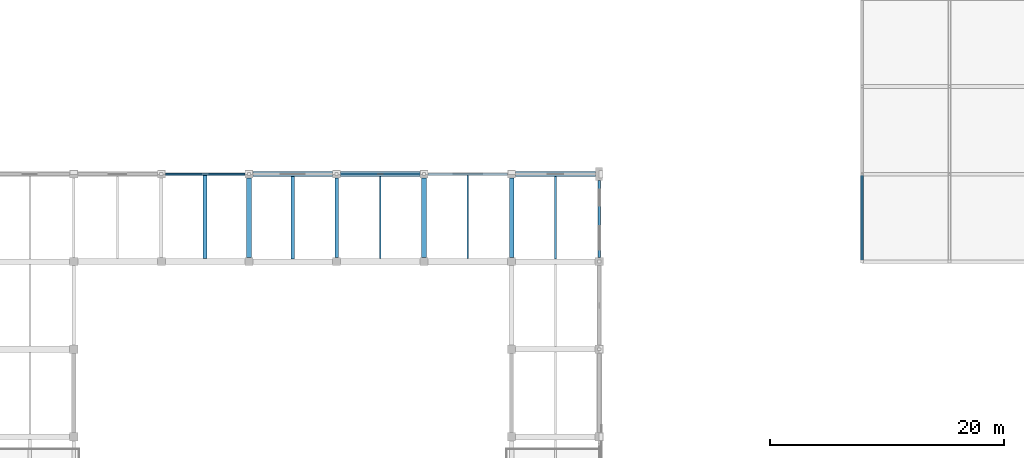
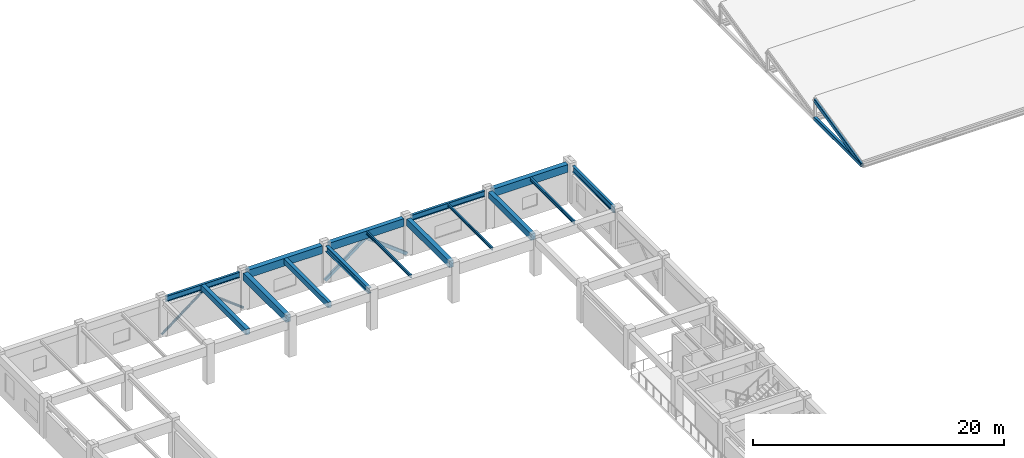
# One storey, part 37 of 82: 15 beams, 6 members.
"""IFC4 building model written with IfcOpenShell, lengths in metres."""

import ifcopenshell
import ifcopenshell.guid

model = None  # the IFC model being written
_history = None  # IfcOwnerHistory: only IFC2X3 demands one
_inside = {}  # id of a spatial element -> (the spatial element, [elements in it])
_under = {}  # id of a project, library or spatial element -> (it, [spatial elements below it])
_declared = {}  # id of a project -> (the project, [libraries it declares])
_typed = {}  # id of a type object -> (the type object, [elements of that type])
_made_of = {}  # id of a material, layer set ... -> (it, [elements and type objects made of it])


def new_model(schema):
    """Start an empty IFC model of exactly this schema.

    Asked for "IFC4X3", IfcOpenShell would pick the latest addendum, in which some entities
    have other attributes; the version numbers below select the first issue.
    IFC2X3 requires an IfcOwnerHistory on every rooted entity: one is made here for all.
    """
    global model, _history
    if schema == "IFC4X3":
        model = ifcopenshell.file(schema_version=(4, 3, 0, 0))
    else:
        model = ifcopenshell.file(schema=schema)
    _inside.clear()
    _under.clear()
    _declared.clear()
    _typed.clear()
    _made_of.clear()
    _history = None
    if model.schema == "IFC2X3":
        org = make("IfcOrganization", Name="unknown")
        user = make(
            "IfcPersonAndOrganization",
            ThePerson=make("IfcPerson", FamilyName="unknown"),
            TheOrganization=org,
        )
        app = make(
            "IfcApplication",
            ApplicationDeveloper=org,
            Version="unknown",
            ApplicationFullName="unknown",
            ApplicationIdentifier="unknown",
        )
        _history = make(
            "IfcOwnerHistory",
            OwningUser=user,
            OwningApplication=app,
            ChangeAction="ADDED",
            CreationDate=0,
        )
    return model


def make(cls, **values):
    """One entity of the class cls with the attributes given. An attribute that is None is left unset."""
    return model.create_entity(
        cls, **{name: value for name, value in values.items() if value is not None}
    )


def rooted(cls, **values):
    """An entity with a GlobalId (a new one), such as an element, a storey or a relation."""
    return make(cls, GlobalId=ifcopenshell.guid.new(), OwnerHistory=_history, **values)


def si_unit(unit_type, name, prefix=None):
    """IfcSIUnit, for example si_unit("LENGTHUNIT", "METRE", prefix="MILLI")."""
    return make("IfcSIUnit", UnitType=unit_type, Prefix=prefix, Name=name)


def assignment(units):
    """IfcUnitAssignment: the units of a project."""
    return None if units is None else make("IfcUnitAssignment", Units=units)


def point(xyz):
    """IfcCartesianPoint."""
    return None if xyz is None else make("IfcCartesianPoint", Coordinates=xyz)


def direction(xyz):
    """IfcDirection."""
    return None if xyz is None else make("IfcDirection", DirectionRatios=xyz)


def frame(location, z_axis=None, x_axis=None):
    """IfcAxis2Placement3D, a coordinate frame: its origin and axes. An axis left out is left unset."""
    return make(
        "IfcAxis2Placement3D",
        Location=point(location),
        Axis=direction(z_axis),
        RefDirection=direction(x_axis),
    )


def frame_2d(location, x_axis=None):
    """IfcAxis2Placement2D, a coordinate frame in the plane: its origin and x axis."""
    return make(
        "IfcAxis2Placement2D", Location=point(location), RefDirection=direction(x_axis)
    )


def origin():
    """The frame at (0, 0, 0) with its axes left unset."""
    return frame((0.0, 0.0, 0.0))


def origin_2d():
    """The frame at (0, 0) in the plane with its x axis left unset."""
    return frame_2d((0.0, 0.0))


def place(relative_to, where):
    """IfcLocalPlacement: puts the frame where relative to a parent placement (None: the world)."""
    return make(
        "IfcLocalPlacement", PlacementRelTo=relative_to, RelativePlacement=where
    )


def context(
    kind, dimensions, precision=None, world=None, true_north=None, identifier=None
):
    """IfcGeometricRepresentationContext, for example the 3D "Model" context."""
    return make(
        "IfcGeometricRepresentationContext",
        ContextIdentifier=identifier,
        ContextType=kind,
        CoordinateSpaceDimension=dimensions,
        Precision=precision,
        WorldCoordinateSystem=world,
        TrueNorth=true_north,
    )


def subcontext(parent, identifier, kind, view, scale=None):
    """IfcGeometricRepresentationSubContext, for example "Body" below "Model"."""
    return make(
        "IfcGeometricRepresentationSubContext",
        ContextIdentifier=identifier,
        ContextType=kind,
        ParentContext=parent,
        TargetScale=scale,
        TargetView=view,
    )


def project(units=None, contexts=None):
    """IfcProject with its units and contexts."""
    return rooted(
        "IfcProject",
        Name="project",
        RepresentationContexts=contexts,
        UnitsInContext=assignment(units),
    )


def spatial(cls, under=None, at=None, **own):
    """A site, building, storey or space (cls), placed at a placement, below another one or the project."""
    s = rooted(cls, ObjectPlacement=at, **own)
    if under is not None:
        _under.setdefault(under.id(), (under, []))[1].append(s)
    return s


def profile(cls, at=None, kind="AREA", **sizes):
    """A parametric profile (cls). Its sizes go by their IFC names, for example OverallWidth=200.0."""
    return make(cls, ProfileType=kind, Position=at, **sizes)


def rectangle(**sizes):
    """IfcRectangleProfileDef."""
    return profile("IfcRectangleProfileDef", **sizes)


def hollow_rectangle(**sizes):
    """IfcRectangleHollowProfileDef."""
    return profile("IfcRectangleHollowProfileDef", **sizes)


def hollow_circle(**sizes):
    """IfcCircleHollowProfileDef."""
    return profile("IfcCircleHollowProfileDef", **sizes)


def i_section(**sizes):
    """IfcIShapeProfileDef."""
    return profile("IfcIShapeProfileDef", **sizes)


def extrude(swept, where, along, depth):
    """IfcExtrudedAreaSolid: the profile swept, set in the frame where, extruded along a direction by depth."""
    return make(
        "IfcExtrudedAreaSolid",
        SweptArea=swept,
        Position=where,
        ExtrudedDirection=direction(along),
        Depth=depth,
    )


def shape(context_of_items, identifier, shape_type, items):
    """IfcShapeRepresentation: the items that make up one representation, for example the "Body"."""
    return make(
        "IfcShapeRepresentation",
        ContextOfItems=context_of_items,
        RepresentationIdentifier=identifier,
        RepresentationType=shape_type,
        Items=items,
    )


def material(Name=None, Category=None):
    """IfcMaterial."""
    return make("IfcMaterial", Name=Name, Category=Category)


def material_profile(
    of_material, cross_section, Name=None, Category=None, Priority=None
):
    """IfcMaterialProfile: a cross section and its material."""
    return make(
        "IfcMaterialProfile",
        Name=Name,
        Material=of_material,
        Profile=cross_section,
        Priority=Priority,
        Category=Category,
    )


def profile_set(profiles, Name=None, composite=None):
    """IfcMaterialProfileSet."""
    return make(
        "IfcMaterialProfileSet",
        Name=Name,
        MaterialProfiles=profiles,
        CompositeProfile=composite,
    )


def made_of(thing, what):
    """Note that an element or type object is made of a material, layer set ...; save() writes the relation."""
    if what is not None:
        _made_of.setdefault(what.id(), (what, []))[1].append(thing)
    return thing


def type_object(cls, material=None, **own):
    """A type object (cls), such as IfcWallType, which elements share."""
    return made_of(rooted(cls, **own), material)


def element(
    cls,
    number,
    at=None,
    inside=None,
    cuts=None,
    type_object=None,
    material=None,
    context=None,
    identifier="Body",
    shape_type=None,
    held_by="IfcProductDefinitionShape",
    body=None,
    shapes=None,
    **own,
):
    """One element of the class cls, such as IfcWall. Its Tag is "e" and its number.

    at: its placement. inside: the storey or other place that contains it. cuts: it is an
    opening in that element (IfcRelVoidsElement). A single representation is given by context,
    identifier, shape_type and body (its items); several are given by shapes. held_by: the class
    of the entity that holds the representations. save() writes the other relations.
    """
    e = rooted(cls, Tag="e%d" % number, ObjectPlacement=at, **own)
    if body is not None:
        shapes = [shape(context, identifier, shape_type, body)]
    if shapes is not None:
        e.Representation = make(held_by, Representations=shapes)
    if inside is not None:
        _inside.setdefault(inside.id(), (inside, []))[1].append(e)
    if cuts is not None:
        rooted(
            "IfcRelVoidsElement", RelatingBuildingElement=cuts, RelatedOpeningElement=e
        )
    if type_object is not None:
        _typed.setdefault(type_object.id(), (type_object, []))[1].append(e)
    return made_of(e, material)


def aggregate(whole, parts):
    """IfcRelAggregates: a whole, such as a stair, and the parts it consists of."""
    return rooted("IfcRelAggregates", RelatingObject=whole, RelatedObjects=parts)


def save(model, path):
    """Write the relations noted so far, then the file.

    IfcRelAggregates (storeys below a building ...), IfcRelContainedInSpatialStructure (elements
    in a storey), IfcRelDefinesByType, IfcRelAssociatesMaterial and IfcRelDeclares: one each for
    every whole, place, type object, material and project.
    """
    for whole, parts in _under.values():
        aggregate(whole, parts)
    for where, things in _inside.values():
        rooted(
            "IfcRelContainedInSpatialStructure",
            RelatedElements=things,
            RelatingStructure=where,
        )
    for kind, things in _typed.values():
        rooted("IfcRelDefinesByType", RelatedObjects=things, RelatingType=kind)
    for what, things in _made_of.values():
        rooted("IfcRelAssociatesMaterial", RelatedObjects=things, RelatingMaterial=what)
    for by, libraries in _declared.values():
        rooted("IfcRelDeclares", RelatingContext=by, RelatedDefinitions=libraries)
    model.write(path)


model = new_model("IFC4")

# Units and contexts
model_context = context("Model", 3, precision=1e-05, world=origin(), true_north=direction((0.0, 1.0)))
body_context = subcontext(model_context, "Body", "Model", "MODEL_VIEW")
ifc_project = project(units=[si_unit("LENGTHUNIT", "METRE"), si_unit("AREAUNIT", "SQUARE_METRE"), si_unit("VOLUMEUNIT", "CUBIC_METRE"), si_unit("PLANEANGLEUNIT", "RADIAN"), si_unit("MASSUNIT", "GRAM", prefix="KILO")], contexts=[model_context])

# Site, building, storey
site_placement = place(None, origin())
site = spatial("IfcSite", under=ifc_project, at=site_placement, CompositionType="ELEMENT")
building_placement = place(site_placement, origin())
building = spatial("IfcBuilding", under=site, at=building_placement, Name="Qasida Concert Hall", CompositionType="ELEMENT")
storey_placement = place(building_placement, frame((0.0, 0.0, 17.10009765625)))
storey = spatial("IfcBuildingStorey", under=building, at=storey_placement, Name="L04", CompositionType="ELEMENT", Elevation=17.10009765625)

# Beams
ifc_material_1 = material(Name="Concrete C40/50", Category="concrete")
ifc_material_profile_1 = material_profile(ifc_material_1, rectangle(XDim=0.39990234375, YDim=0.64990234375, at=origin_2d()), Name="RC 400x650")
ifc_profile_set_1 = profile_set([ifc_material_profile_1], Name="Concrete C40/50")
beam_type_1 = type_object("IfcBeamType", Name="BM-B1", PredefinedType="BEAM", material=ifc_profile_set_1)
beam_1_placement = place(storey_placement, frame((90.0, 75.35009765625, 3.294921875), z_axis=(0.0, 1.0, 0.0), x_axis=(-1.0, 0.0, 0.0)))
element("IfcBeam", 1, at=beam_1_placement, inside=storey, type_object=beam_type_1, Name="L04 girder 1856", PredefinedType="BEAM", context=body_context, shape_type="SweptSolid", body=[
    extrude(rectangle(XDim=0.39990234375, YDim=0.64990234375, at=origin_2d()), origin(), (0.0, 0.0, 1.0), 6.7998046875),
])
ifc_material_profile_2 = material_profile(ifc_material_1, rectangle(XDim=0.3798828125, YDim=0.6201171875, at=origin_2d()), Name="RC 380x620")
ifc_profile_set_2 = profile_set([ifc_material_profile_2], Name="Concrete C40/50")
beam_type_2 = type_object("IfcBeamType", Name="BM-B10", PredefinedType="BEAM", material=ifc_profile_set_2)
beam_2_placement = place(storey_placement, frame((97.5, 75.35009765625, 3.309814453125), z_axis=(0.0, 1.0, 0.0), x_axis=(-1.0, 0.0, 0.0)))
element("IfcBeam", 2, at=beam_2_placement, inside=storey, type_object=beam_type_2, Name="L04 girder 1862", PredefinedType="BEAM", context=body_context, shape_type="SweptSolid", body=[
    extrude(rectangle(XDim=0.3798828125, YDim=0.6201171875, at=origin_2d()), origin(), (0.0, 0.0, 1.0), 6.7998046875),
])
ifc_material_profile_3 = material_profile(ifc_material_1, rectangle(XDim=0.419921875, YDim=0.699951171875, at=origin_2d()), Name="RC 420x700")
ifc_profile_set_3 = profile_set([ifc_material_profile_3], Name="Concrete C40/50")
beam_type_3 = type_object("IfcBeamType", Name="BM-B11", PredefinedType="BEAM", material=ifc_profile_set_3)
beam_3_placement = place(storey_placement, frame((75.0, 75.35009765625, 3.27001953125), z_axis=(0.0, 1.0, 0.0), x_axis=(-1.0, 0.0, 0.0)))
element("IfcBeam", 3, at=beam_3_placement, inside=storey, type_object=beam_type_3, Name="L04 girder 1853", PredefinedType="BEAM", context=body_context, shape_type="SweptSolid", body=[
    extrude(rectangle(XDim=0.419921875, YDim=0.699951171875, at=origin_2d()), origin(), (0.0, 0.0, 1.0), 6.7998046875),
])
ifc_material_2 = material(Name="Steel S355J2", Category="steel")
ifc_material_profile_4 = material_profile(ifc_material_2, i_section(OverallWidth=0.300048828125, OverallDepth=0.550048828125, WebThickness=0.014892578125, FlangeThickness=0.029052734375, FilletRadius=0.027099609375, at=origin_2d()), Name="HEB 550")
ifc_profile_set_4 = profile_set([ifc_material_profile_4], Name="Steel S355J2")
beam_type_4 = type_object("IfcBeamType", Name="BM-B12", PredefinedType="BEAM", material=ifc_profile_set_4)
beam_4_placement = place(storey_placement, frame((82.5, 75.35009765625, 3.344970703125), z_axis=(0.0, 1.0, 0.0), x_axis=(-1.0, 0.0, 0.0)))
element("IfcBeam", 4, at=beam_4_placement, inside=storey, type_object=beam_type_4, Name="L04 girder 1854", PredefinedType="BEAM", context=body_context, shape_type="SweptSolid", body=[
    extrude(i_section(OverallWidth=0.300048828125, OverallDepth=0.550048828125, WebThickness=0.014892578125, FlangeThickness=0.029052734375, FilletRadius=0.027099609375, at=origin_2d()), origin(), (0.0, 0.0, 1.0), 6.7998046875),
])
ifc_material_profile_5 = material_profile(ifc_material_1, rectangle(XDim=0.300048828125, YDim=0.550048828125, at=origin_2d()), Name="RC 300x550")
ifc_profile_set_5 = profile_set([ifc_material_profile_5], Name="Concrete C40/50")
beam_type_5 = type_object("IfcBeamType", Name="BM-J1", PredefinedType="JOIST", material=ifc_profile_set_5)
beam_5_placement = place(storey_placement, frame((78.75, 75.239990234375, 3.344970703125), z_axis=(0.0, 1.0, 0.0), x_axis=(-1.0, 0.0, 0.0)))
element("IfcBeam", 5, at=beam_5_placement, inside=storey, type_object=beam_type_5, Name="L04 secondary joist 1880", PredefinedType="JOIST", context=body_context, shape_type="SweptSolid", body=[
    extrude(rectangle(XDim=0.300048828125, YDim=0.550048828125, at=origin_2d()), origin(), (0.0, 0.0, 1.0), 7.034912109375),
])
ifc_material_profile_6 = material_profile(ifc_material_2, i_section(OverallWidth=0.14990234375, OverallDepth=0.300048828125, WebThickness=0.007080078125, FlangeThickness=0.0107421875, FilletRadius=0.014892578125, at=origin_2d()), Name="IPE 300")
ifc_profile_set_6 = profile_set([ifc_material_profile_6], Name="Steel S355J2")
beam_type_6 = type_object("IfcBeamType", Name="BM-J4", PredefinedType="JOIST", material=ifc_profile_set_6)
beam_6_placement = place(storey_placement, frame((86.25, 75.25, 3.469970703125), z_axis=(0.0, 1.0, 0.0), x_axis=(-1.0, 0.0, 0.0)))
element("IfcBeam", 6, at=beam_6_placement, inside=storey, type_object=beam_type_6, Name="L04 secondary joist 1883", PredefinedType="JOIST", context=body_context, shape_type="SweptSolid", body=[
    extrude(i_section(OverallWidth=0.14990234375, OverallDepth=0.300048828125, WebThickness=0.007080078125, FlangeThickness=0.0107421875, FilletRadius=0.014892578125, at=origin_2d()), origin(), (0.0, 0.0, 1.0), 7.050048828125),
])
ifc_material_profile_7 = material_profile(ifc_material_2, i_section(OverallWidth=0.159912109375, OverallDepth=0.330078125, WebThickness=0.007568359375, FlangeThickness=0.011474609375, FilletRadius=0.01806640625, at=origin_2d()), Name="IPE 330")
ifc_profile_set_7 = profile_set([ifc_material_profile_7], Name="Steel S355J2")
beam_type_7 = type_object("IfcBeamType", Name="BM-J5", PredefinedType="JOIST", material=ifc_profile_set_7)
beam_7_placement = place(storey_placement, frame((101.25, 75.239990234375, 3.454833984375), z_axis=(0.0, 1.0, 0.0), x_axis=(-1.0, 0.0, 0.0)))
element("IfcBeam", 7, at=beam_7_placement, inside=storey, type_object=beam_type_7, Name="L04 secondary joist 1892", PredefinedType="JOIST", context=body_context, shape_type="SweptSolid", body=[
    extrude(i_section(OverallWidth=0.159912109375, OverallDepth=0.330078125, WebThickness=0.007568359375, FlangeThickness=0.011474609375, FilletRadius=0.01806640625, at=origin_2d()), origin(), (0.0, 0.0, 1.0), 7.034912109375),
])
ifc_material_profile_8 = material_profile(ifc_material_2, i_section(OverallWidth=0.135009765625, OverallDepth=0.27001953125, WebThickness=0.006591796875, FlangeThickness=0.01025390625, FilletRadius=0.014892578125, at=origin_2d()), Name="IPE 270")
ifc_profile_set_8 = profile_set([ifc_material_profile_8], Name="Steel S355J2")
beam_type_8 = type_object("IfcBeamType", Name="BM-J6", PredefinedType="JOIST", material=ifc_profile_set_8)
beam_8_placement = place(storey_placement, frame((93.75, 75.2900390625, 3.48486328125), z_axis=(0.0, 1.0, 0.0), x_axis=(-1.0, 0.0, 0.0)))
element("IfcBeam", 8, at=beam_8_placement, inside=storey, type_object=beam_type_8, Name="L04 secondary joist 1885", PredefinedType="JOIST", context=body_context, shape_type="SweptSolid", body=[
    extrude(i_section(OverallWidth=0.135009765625, OverallDepth=0.27001953125, WebThickness=0.006591796875, FlangeThickness=0.01025390625, FilletRadius=0.014892578125, at=origin_2d()), origin(), (0.0, 0.0, 1.0), 7.10498046875),
])
ifc_material_profile_9 = material_profile(ifc_material_1, rectangle(XDim=0.35009765625, YDim=0.550048828125, at=origin_2d()), Name="RC 350x550")
ifc_profile_set_9 = profile_set([ifc_material_profile_9], Name="Concrete C40/50")
beam_type_9 = type_object("IfcBeamType", Name="BM-J8", PredefinedType="JOIST", material=ifc_profile_set_9)
beam_9_placement = place(storey_placement, frame((71.25, 75.260009765625, 3.344970703125), z_axis=(0.0, 1.0, 0.0), x_axis=(-1.0, 0.0, 0.0)))
element("IfcBeam", 9, at=beam_9_placement, inside=storey, type_object=beam_type_9, Name="L04 secondary joist 1879", PredefinedType="JOIST", context=body_context, shape_type="SweptSolid", body=[
    extrude(rectangle(XDim=0.35009765625, YDim=0.550048828125, at=origin_2d()), origin(), (0.0, 0.0, 1.0), 7.135009765625),
])
ifc_material_profile_10 = material_profile(ifc_material_1, rectangle(XDim=0.39990234375, YDim=0.75, at=origin_2d()), Name="RC 400x750")
ifc_profile_set_10 = profile_set([ifc_material_profile_10], Name="Concrete C40/50")
beam_type_10 = type_object("IfcBeamType", Name="BM-SP1", PredefinedType="SPANDREL", material=ifc_profile_set_10)
beam_10_placement = place(storey_placement, frame((82.85009765625, 82.5, 3.244873046875), z_axis=(1.0, 0.0, 0.0), x_axis=(0.0, 1.0, 0.0)))
element("IfcBeam", 10, at=beam_10_placement, inside=storey, type_object=beam_type_10, Name="Primary girder 1836", PredefinedType="SPANDREL", context=body_context, shape_type="SweptSolid", body=[
    extrude(rectangle(XDim=0.39990234375, YDim=0.75, at=origin_2d()), origin(), (0.0, 0.0, 1.0), 6.7998046875),
])
ifc_material_profile_11 = material_profile(ifc_material_2, i_section(OverallWidth=0.2099609375, OverallDepth=0.550048828125, WebThickness=0.010986328125, FlangeThickness=0.01708984375, FilletRadius=0.02392578125, at=origin_2d()), Name="IPE 550")
ifc_profile_set_11 = profile_set([ifc_material_profile_11], Name="Steel S355J2")
beam_type_11 = type_object("IfcBeamType", Name="BM-SP2", PredefinedType="SPANDREL", material=ifc_profile_set_11)
for number, where, z_axis, x_axis, name in (
    (11, (67.85009765625, 82.5, 3.344970703125), (1.0, 0.0, 0.0), (0.0, 1.0, 0.0), "Primary girder 1834"),
    (12, (90.35009765625, 82.5, 3.344970703125), (1.0, 0.0, 0.0), (0.0, 1.0, 0.0), "Primary girder 1837"),
):
    element("IfcBeam", number, at=place(storey_placement, frame(where, z_axis=z_axis, x_axis=x_axis)), inside=storey, type_object=beam_type_11, Name=name, PredefinedType="SPANDREL", context=body_context, shape_type="SweptSolid", body=[
        extrude(i_section(OverallWidth=0.2099609375, OverallDepth=0.550048828125, WebThickness=0.010986328125, FlangeThickness=0.01708984375, FilletRadius=0.02392578125, at=origin_2d()), origin(), (0.0, 0.0, 1.0), 6.7998046875),
    ])
ifc_material_profile_12 = material_profile(ifc_material_2, i_section(OverallWidth=0.219970703125, OverallDepth=0.60009765625, WebThickness=0.011962890625, FlangeThickness=0.01904296875, FilletRadius=0.02392578125, at=origin_2d()), Name="IPE 600")
ifc_profile_set_12 = profile_set([ifc_material_profile_12], Name="Steel S355J2")
beam_type_12 = type_object("IfcBeamType", Name="BM-SP3", PredefinedType="SPANDREL", material=ifc_profile_set_12)
beam_11_placement = place(storey_placement, frame((105.0, 75.35009765625, 3.31982421875), z_axis=(0.0, 1.0, 0.0), x_axis=(-1.0, 0.0, 0.0)))
element("IfcBeam", 13, at=beam_11_placement, inside=storey, type_object=beam_type_12, Name="L04 girder 1868", PredefinedType="SPANDREL", context=body_context, shape_type="SweptSolid", body=[
    extrude(i_section(OverallWidth=0.219970703125, OverallDepth=0.60009765625, WebThickness=0.011962890625, FlangeThickness=0.01904296875, FilletRadius=0.02392578125, at=origin_2d()), origin(), (0.0, 0.0, 1.0), 6.599853515625),
])
ifc_material_profile_13 = material_profile(ifc_material_1, rectangle(XDim=0.449951171875, YDim=0.75, at=origin_2d()), Name="RC 450x750")
ifc_profile_set_13 = profile_set([ifc_material_profile_13], Name="Concrete C40/50")
beam_type_13 = type_object("IfcBeamType", Name="BM-SP4", PredefinedType="SPANDREL", material=ifc_profile_set_13)
beam_12_placement = place(storey_placement, frame((75.35009765625, 82.5, 3.244873046875), z_axis=(1.0, 0.0, 0.0), x_axis=(0.0, 1.0, 0.0)))
element("IfcBeam", 14, at=beam_12_placement, inside=storey, type_object=beam_type_13, Name="Primary girder 1835", PredefinedType="SPANDREL", context=body_context, shape_type="SweptSolid", body=[
    extrude(rectangle(XDim=0.449951171875, YDim=0.75, at=origin_2d()), origin(), (0.0, 0.0, 1.0), 6.7998046875),
])
beam_13_placement = place(storey_placement, frame((97.85009765625, 82.5, 3.244873046875), z_axis=(1.0, 0.0, 0.0), x_axis=(0.0, 1.0, 0.0)))
element("IfcBeam", 15, at=beam_13_placement, inside=storey, type_object=beam_type_13, Name="Primary girder 1838", PredefinedType="SPANDREL", context=body_context, shape_type="SweptSolid", body=[
    extrude(rectangle(XDim=0.449951171875, YDim=0.75, at=origin_2d()), origin(), (0.0, 0.0, 1.0), 6.849853515625),
])

# Members
ifc_material_profile_14 = material_profile(ifc_material_2, hollow_circle(Radius=0.109619140625, WallThickness=0.010009765625, at=origin_2d()), Name="CHS 219.1x10")
ifc_profile_set_14 = profile_set([ifc_material_profile_14], Name="Steel S355J2")
member_type_1 = type_object("IfcMemberType", Name="MB-BR6", PredefinedType="BRACE", material=ifc_profile_set_14)
for number, where, z_axis, x_axis, name in (
    (16, (67.5, 82.5, 0.0), (0.794130314617, 0.0, 0.607747516167), (0.0, 1.0, 0.0), "L04 chevron brace CBF-0033"),
    (17, (75.0, 82.5, 0.0), (-0.794130314617, 0.0, 0.607747516167), (0.0, -1.0, 0.0), "L04 chevron brace CBF-0034"),
):
    element("IfcMember", number, at=place(storey_placement, frame(where, z_axis=z_axis, x_axis=x_axis)), inside=storey, type_object=member_type_1, Name=name, PredefinedType="BRACE", context=body_context, shape_type="SweptSolid", body=[
        extrude(hollow_circle(Radius=0.109619140625, WallThickness=0.010009765625, at=origin_2d()), origin(), (0.0, 0.0, 1.0), 4.72216796875),
    ])
ifc_material_profile_15 = material_profile(ifc_material_2, hollow_rectangle(XDim=0.199951171875, YDim=0.300048828125, WallThickness=0.012451171875, InnerFilletRadius=0.012451171875, OuterFilletRadius=0.02490234375, at=origin_2d()), Name="RHS 300x200x12.5")
ifc_profile_set_15 = profile_set([ifc_material_profile_15], Name="Steel S355J2")
member_type_2 = type_object("IfcMemberType", Name="MB-BR7", PredefinedType="BRACE", material=ifc_profile_set_15)
for number, where, z_axis, x_axis, name in (
    (18, (82.5, 82.5, 0.0), (0.794130314617, 0.0, 0.607747516167), (0.0, 1.0, 0.0), "L04 chevron brace CBF-0045"),
    (19, (90.0, 82.5, 0.0), (-0.794130314617, 0.0, 0.607747516167), (0.0, -1.0, 0.0), "L04 chevron brace CBF-0046"),
):
    element("IfcMember", number, at=place(storey_placement, frame(where, z_axis=z_axis, x_axis=x_axis)), inside=storey, type_object=member_type_2, Name=name, PredefinedType="BRACE", context=body_context, shape_type="SweptSolid", body=[
        extrude(hollow_rectangle(XDim=0.199951171875, YDim=0.300048828125, WallThickness=0.012451171875, InnerFilletRadius=0.012451171875, OuterFilletRadius=0.02490234375, at=origin_2d()), origin(), (0.0, 0.0, 1.0), 4.72216796875),
    ])
ifc_material_profile_16 = material_profile(ifc_material_2, hollow_rectangle(XDim=0.199951171875, YDim=0.39990234375, WallThickness=0.01611328125, InnerFilletRadius=0.01611328125, OuterFilletRadius=0.031982421875, at=origin_2d()), Name="RHS 400x200x16")
ifc_profile_set_16 = profile_set([ifc_material_profile_16], Name="Steel S355J2")
member_type_3 = type_object("IfcMemberType", Name="MB-CH4", PredefinedType="CHORD", material=ifc_profile_set_16)
member_1_placement = place(storey_placement, frame((127.5, 75.0, 0.0), z_axis=(0.0, 0.973841209742, 0.227229615606), x_axis=(-1.0, 0.0, 0.0)))
element("IfcMember", 20, at=member_1_placement, inside=storey, type_object=member_type_3, Name="Roof truss sawtooth rafter V4R-014", PredefinedType="CHORD", context=body_context, shape_type="SweptSolid", body=[
    extrude(hollow_rectangle(XDim=0.199951171875, YDim=0.39990234375, WallThickness=0.01611328125, InnerFilletRadius=0.01611328125, OuterFilletRadius=0.031982421875, at=origin_2d()), origin(), (0.0, 0.0, 1.0), 7.701416015625),
])
ifc_material_profile_17 = material_profile(ifc_material_2, hollow_rectangle(XDim=0.25, YDim=0.35009765625, WallThickness=0.01611328125, InnerFilletRadius=0.01611328125, OuterFilletRadius=0.031982421875, at=origin_2d()), Name="RHS 350x250x16")
ifc_profile_set_17 = profile_set([ifc_material_profile_17], Name="Steel S355J2")
member_type_4 = type_object("IfcMemberType", Name="MB-CH5", PredefinedType="CHORD", material=ifc_profile_set_17)
member_2_placement = place(storey_placement, frame((127.5, 75.0, 0.0), z_axis=(0.0, 1.0, 0.0), x_axis=(-1.0, 0.0, 0.0)))
element("IfcMember", 21, at=member_2_placement, inside=storey, type_object=member_type_4, Name="Roof truss sawtooth tie V4B-013", PredefinedType="CHORD", context=body_context, shape_type="SweptSolid", body=[
    extrude(hollow_rectangle(XDim=0.25, YDim=0.35009765625, WallThickness=0.01611328125, InnerFilletRadius=0.01611328125, OuterFilletRadius=0.031982421875, at=origin_2d()), origin(), (0.0, 0.0, 1.0), 7.5),
])

save(model, "model.ifc")
